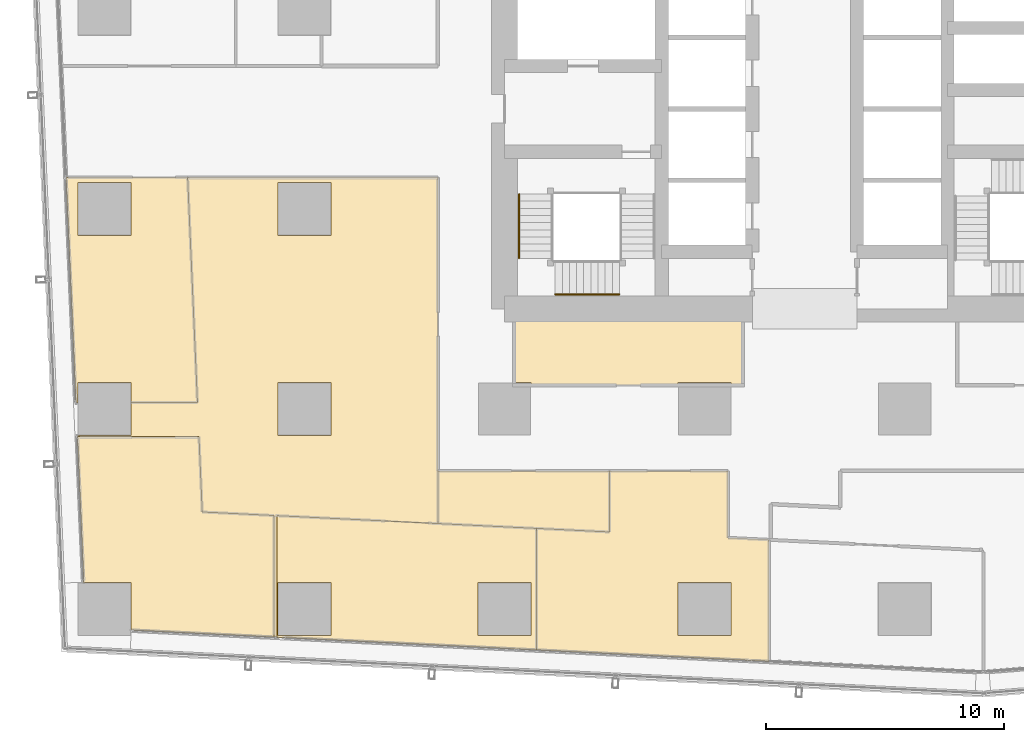
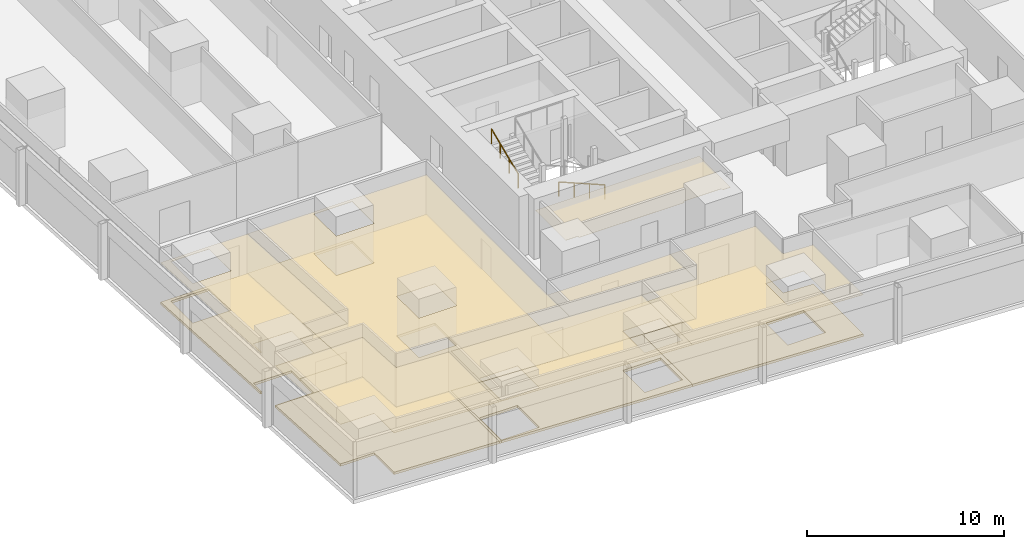
# One storey, part 36 of 44: 13 coverings, 2 railings.
"""IFC4 building model written with IfcOpenShell, lengths in metres."""

from ifc_helpers import new_model, si_unit, direction, frame, origin, origin_2d, place, context, subcontext, project, spatial, polyline, circle, outline, extrude, material, layer, layer_set, type_object, element, save


model = new_model("IFC4")

# Units and contexts
model_context = context("Model", 3, precision=1e-05, world=origin(), true_north=direction((0.0, 1.0)))
body_context = subcontext(model_context, "Body", "Model", "MODEL_VIEW")
ifc_project = project(units=[si_unit("LENGTHUNIT", "METRE"), si_unit("AREAUNIT", "SQUARE_METRE"), si_unit("VOLUMEUNIT", "CUBIC_METRE"), si_unit("PLANEANGLEUNIT", "RADIAN"), si_unit("MASSUNIT", "GRAM", prefix="KILO")], contexts=[model_context])

# Site, building, storey
site_placement = place(None, origin())
site = spatial("IfcSite", under=ifc_project, at=site_placement, CompositionType="ELEMENT")
building_placement = place(site_placement, origin())
building = spatial("IfcBuilding", under=site, at=building_placement, Name="Rekha Terrace Tower", CompositionType="ELEMENT")
storey_placement = place(building_placement, frame((0.0, 0.0, 59.14990234375)))
storey = spatial("IfcBuildingStorey", under=building, at=storey_placement, Name="L14", CompositionType="ELEMENT", Elevation=59.14990234375)

# Coverings
ifc_material_1 = material(Name="Mineral fibre tile in exposed grid", Category="finish")
ifc_layer_1 = layer(ifc_material_1, 0.02001953125)
ifc_layer_set_1 = layer_set([ifc_layer_1], Name="Mineral fibre tile in exposed grid")
covering_type_1 = type_object("IfcCoveringType", Name="CL1 600x1200 office grid ceiling", PredefinedType="CEILING", material=ifc_layer_set_1)
covering_1_placement = place(storey_placement, frame((0.0, 0.0, 2.580078125)))
element("IfcCovering", 1, at=covering_1_placement, inside=storey, type_object=covering_type_1, Name="Ceiling L14-06", PredefinedType="CEILING", context=body_context, shape_type="SweptSolid", body=[
    extrude(outline(polyline([(9.514892578125, 17.080078125), (12.30810546875, 17.080078125), (11.89599609375, 26.511962890625), (6.791015625, 26.511962890625), (7.202880859375, 17.080078125), (7.284912109375, 17.080078125), (7.284912109375, 17.9150390625), (9.514892578125, 17.9150390625), (9.514892578125, 17.080078125)]), holes=[polyline([(9.514892578125, 24.0849609375), (7.284912109375, 24.0849609375), (7.284912109375, 26.31494140625), (9.514892578125, 26.31494140625), (9.514892578125, 24.0849609375)])]), origin(), (0.0, 0.0, 1.0), 0.02001953125),
])
covering_2_placement = place(storey_placement, frame((0.0, 0.0, 2.580078125)))
element("IfcCovering", 2, at=covering_2_placement, inside=storey, type_object=covering_type_1, Name="Ceiling L14-07", PredefinedType="CEILING", context=body_context, shape_type="SweptSolid", body=[
    extrude(outline(polyline([(12.509033203125, 12.47705078125), (12.37109375, 15.64306640625), (7.26611328125, 15.64306640625), (7.533935546875, 9.514892578125), (9.514892578125, 9.514892578125), (9.514892578125, 7.51806640625), (15.52392578125, 7.222900390625), (15.52392578125, 12.3291015625), (12.509033203125, 12.47705078125)])), origin(), (0.0, 0.0, 1.0), 0.02001953125),
])
covering_3_placement = place(storey_placement, frame((0.0, 0.0, 2.580078125)))
element("IfcCovering", 3, at=covering_3_placement, inside=storey, type_object=covering_type_1, Name="Ceiling L14-08", PredefinedType="CEILING", context=body_context, shape_type="SweptSolid", body=[
    extrude(outline(polyline([(26.547119140625, 6.680908203125), (26.547119140625, 11.7880859375), (15.64306640625, 12.322998046875), (15.64306640625, 7.217041015625), (26.547119140625, 6.680908203125)]), holes=[polyline([(26.31494140625, 9.514892578125), (26.31494140625, 7.284912109375), (24.0849609375, 7.284912109375), (24.0849609375, 9.514892578125), (26.31494140625, 9.514892578125)]), polyline([(17.9150390625, 7.284912109375), (15.68505859375, 7.284912109375), (15.68505859375, 9.514892578125), (17.9150390625, 9.514892578125), (17.9150390625, 7.284912109375)])]), origin(), (0.0, 0.0, 1.0), 0.02001953125),
])
covering_4_placement = place(storey_placement, frame((0.0, 0.0, 2.580078125)))
element("IfcCovering", 4, at=covering_4_placement, inside=storey, type_object=covering_type_1, Name="Ceiling L14-09", PredefinedType="CEILING", context=body_context, shape_type="SweptSolid", body=[
    extrude(outline(polyline([(34.583984375, 14.199951171875), (29.60009765625, 14.199951171875), (29.60009765625, 11.637939453125), (26.548095703125, 11.7880859375), (26.548095703125, 6.680908203125), (36.298095703125, 6.202880859375), (36.298095703125, 11.30908203125), (34.583984375, 11.39306640625), (34.583984375, 14.199951171875)]), holes=[polyline([(34.715087890625, 7.284912109375), (32.485107421875, 7.284912109375), (32.485107421875, 9.514892578125), (34.715087890625, 9.514892578125), (34.715087890625, 7.284912109375)])]), origin(), (0.0, 0.0, 1.0), 0.02001953125),
])
covering_5_placement = place(storey_placement, frame((0.0, 0.0, 2.580078125)))
element("IfcCovering", 5, at=covering_5_placement, inside=storey, type_object=covering_type_1, Name="Ceiling L14-10", PredefinedType="CEILING", context=body_context, shape_type="SweptSolid", body=[
    extrude(outline(polyline([(29.60009765625, 14.199951171875), (22.39990234375, 14.199951171875), (22.39990234375, 11.990966796875), (26.2548828125, 11.802001953125), (29.60009765625, 11.637939453125), (29.60009765625, 14.199951171875)])), origin(), (0.0, 0.0, 1.0), 0.02001953125),
])
covering_6_placement = place(storey_placement, frame((0.0, 0.0, 2.580078125)))
element("IfcCovering", 6, at=covering_6_placement, inside=storey, type_object=covering_type_1, Name="Ceiling L14-O1b", PredefinedType="CEILING", context=body_context, shape_type="SweptSolid", body=[
    extrude(outline(polyline([(9.514892578125, 15.68505859375), (7.263916015625, 15.68505859375), (7.26611328125, 15.64306640625), (12.37109375, 15.64306640625), (12.509033203125, 12.47705078125), (15.52392578125, 12.3291015625), (15.52392578125, 7.222900390625), (15.64306640625, 7.217041015625), (15.64306640625, 12.322998046875), (22.39990234375, 11.990966796875), (22.39990234375, 26.511962890625), (11.89599609375, 26.511962890625), (12.30810546875, 17.080078125), (9.514892578125, 17.080078125), (9.514892578125, 15.68505859375)]), holes=[polyline([(17.9150390625, 15.68505859375), (15.68505859375, 15.68505859375), (15.68505859375, 17.9150390625), (17.9150390625, 17.9150390625), (17.9150390625, 15.68505859375)]), polyline([(17.9150390625, 24.0849609375), (15.68505859375, 24.0849609375), (15.68505859375, 26.31494140625), (17.9150390625, 26.31494140625), (17.9150390625, 24.0849609375)])]), origin(), (0.0, 0.0, 1.0), 0.02001953125),
])
ifc_material_2 = material(Name="Fibre cement board", Category="finish")
ifc_layer_2 = layer(ifc_material_2, 0.014892578125)
ifc_layer_set_2 = layer_set([ifc_layer_2], Name="Fibre cement board")
covering_type_2 = type_object("IfcCoveringType", Name="CL2 moisture-resistant board ceiling", PredefinedType="CEILING", material=ifc_layer_set_2)
covering_7_placement = place(storey_placement, frame((0.0, 0.0, 2.585205078125)))
element("IfcCovering", 7, at=covering_7_placement, inside=storey, type_object=covering_type_2, Name="Ceiling L14-WCM", PredefinedType="CEILING", context=body_context, shape_type="SweptSolid", body=[
    extrude(outline(polyline([(35.199951171875, 21.0), (25.60009765625, 21.0), (25.60009765625, 17.9150390625), (26.31494140625, 17.9150390625), (26.31494140625, 17.800048828125), (32.485107421875, 17.800048828125), (32.485107421875, 17.9150390625), (34.715087890625, 17.9150390625), (34.715087890625, 17.800048828125), (35.199951171875, 17.800048828125), (35.199951171875, 21.0)])), origin(), (0.0, 0.0, 1.0), 0.014892578125),
])

# Railings
ifc_material_3 = material(Name="Stainless steel tube", Category="steel")
railing_type = type_object("IfcRailingType", Name="HR1 900 stair handrail", PredefinedType="HANDRAIL", material=ifc_material_3)
railing_1_placement = place(storey_placement, frame((30.02490234375, 21.610107421875, 1.375)))
element("IfcRailing", 8, at=railing_1_placement, inside=storey, type_object=railing_type, Name="Handrail ST1 L14 flight 2", PredefinedType="HANDRAIL", context=body_context, shape_type="SweptSolid", body=[
    extrude(circle(Radius=0.02392578125, at=origin_2d()), frame((0.0, 0.0, 0.8759765625), z_axis=(-0.923074453586, 0.0, 0.384621311341), x_axis=(0.0, -1.0, 0.0)), (0.0, 0.0, 1.0), 2.925048828125),
    extrude(circle(Radius=0.02099609375, at=origin_2d()), origin(), (0.0, 0.0, 1.0), 0.851806640625),
    extrude(circle(Radius=0.02099609375, at=origin_2d()), frame((-0.89990234375, 0.0, 0.375)), (0.0, 0.0, 1.0), 0.851806640625),
    extrude(circle(Radius=0.02099609375, at=origin_2d()), frame((-1.800048828125, 0.0, 0.75)), (0.0, 0.0, 1.0), 0.851806640625),
    extrude(circle(Radius=0.02099609375, at=origin_2d()), frame((-2.699951171875, 0.0, 1.125)), (0.0, 0.0, 1.0), 0.851806640625),
])
railing_2_placement = place(storey_placement, frame((25.81005859375, 23.125, 2.625)))
element("IfcRailing", 9, at=railing_2_placement, inside=storey, type_object=railing_type, Name="Handrail ST1 L14 flight 3", PredefinedType="HANDRAIL", context=body_context, shape_type="SweptSolid", body=[
    extrude(circle(Radius=0.02392578125, at=origin_2d()), frame((0.0, 0.0, 0.8759765625), z_axis=(0.0, 0.923074453586, 0.384621311341), x_axis=(-1.0, 0.0, 0.0)), (0.0, 0.0, 1.0), 2.925048828125),
    extrude(circle(Radius=0.02099609375, at=origin_2d()), origin(), (0.0, 0.0, 1.0), 0.851806640625),
    extrude(circle(Radius=0.02099609375, at=origin_2d()), frame((0.0, 0.89990234375, 0.375)), (0.0, 0.0, 1.0), 0.851806640625),
    extrude(circle(Radius=0.02099609375, at=origin_2d()), frame((0.0, 1.800048828125, 0.75)), (0.0, 0.0, 1.0), 0.851806640625),
    extrude(circle(Radius=0.02099609375, at=origin_2d()), frame((0.0, 2.699951171875, 1.125)), (0.0, 0.0, 1.0), 0.851806640625),
])

# Coverings
ifc_material_4 = material(Name="Calcium sulphate panels on steel pedestals", Category="steel")
ifc_layer_3 = layer(ifc_material_4, 0.14990234375)
ifc_layer_set_3 = layer_set([ifc_layer_3], Name="Calcium sulphate panels on steel pedestals")
covering_type_3 = type_object("IfcCoveringType", Name="RF1 150 raised access floor", PredefinedType="FLOORING", material=ifc_layer_set_3)
covering_8_placement = place(storey_placement, origin())
element("IfcCovering", 10, at=covering_8_placement, inside=storey, type_object=covering_type_3, Name="Raised floor L14-06", PredefinedType="FLOORING", context=body_context, shape_type="SweptSolid", body=[
    extrude(outline(polyline([(9.514892578125, 17.080078125), (12.30810546875, 17.080078125), (11.89599609375, 26.511962890625), (6.791015625, 26.511962890625), (7.202880859375, 17.080078125), (7.284912109375, 17.080078125), (7.284912109375, 17.9150390625), (9.514892578125, 17.9150390625), (9.514892578125, 17.080078125)]), holes=[polyline([(9.514892578125, 24.0849609375), (7.284912109375, 24.0849609375), (7.284912109375, 26.31494140625), (9.514892578125, 26.31494140625), (9.514892578125, 24.0849609375)])]), origin(), (0.0, 0.0, 1.0), 0.150146484375),
])
covering_9_placement = place(storey_placement, origin())
element("IfcCovering", 11, at=covering_9_placement, inside=storey, type_object=covering_type_3, Name="Raised floor L14-07", PredefinedType="FLOORING", context=body_context, shape_type="SweptSolid", body=[
    extrude(outline(polyline([(12.509033203125, 12.47705078125), (12.37109375, 15.64306640625), (7.26611328125, 15.64306640625), (7.533935546875, 9.514892578125), (9.514892578125, 9.514892578125), (9.514892578125, 7.51806640625), (15.52392578125, 7.222900390625), (15.52392578125, 12.3291015625), (12.509033203125, 12.47705078125)])), origin(), (0.0, 0.0, 1.0), 0.150146484375),
])
covering_10_placement = place(storey_placement, origin())
element("IfcCovering", 12, at=covering_10_placement, inside=storey, type_object=covering_type_3, Name="Raised floor L14-08", PredefinedType="FLOORING", context=body_context, shape_type="SweptSolid", body=[
    extrude(outline(polyline([(26.547119140625, 6.680908203125), (26.547119140625, 11.7880859375), (15.64306640625, 12.322998046875), (15.64306640625, 7.217041015625), (26.547119140625, 6.680908203125)]), holes=[polyline([(26.31494140625, 9.514892578125), (26.31494140625, 7.284912109375), (24.0849609375, 7.284912109375), (24.0849609375, 9.514892578125), (26.31494140625, 9.514892578125)]), polyline([(17.9150390625, 7.284912109375), (15.68505859375, 7.284912109375), (15.68505859375, 9.514892578125), (17.9150390625, 9.514892578125), (17.9150390625, 7.284912109375)])]), origin(), (0.0, 0.0, 1.0), 0.150146484375),
])
covering_11_placement = place(storey_placement, origin())
element("IfcCovering", 13, at=covering_11_placement, inside=storey, type_object=covering_type_3, Name="Raised floor L14-09", PredefinedType="FLOORING", context=body_context, shape_type="SweptSolid", body=[
    extrude(outline(polyline([(34.583984375, 14.199951171875), (29.60009765625, 14.199951171875), (29.60009765625, 11.637939453125), (26.548095703125, 11.7880859375), (26.548095703125, 6.680908203125), (36.298095703125, 6.202880859375), (36.298095703125, 11.30908203125), (34.583984375, 11.39306640625), (34.583984375, 14.199951171875)]), holes=[polyline([(34.715087890625, 7.284912109375), (32.485107421875, 7.284912109375), (32.485107421875, 9.514892578125), (34.715087890625, 9.514892578125), (34.715087890625, 7.284912109375)])]), origin(), (0.0, 0.0, 1.0), 0.150146484375),
])
covering_12_placement = place(storey_placement, origin())
element("IfcCovering", 14, at=covering_12_placement, inside=storey, type_object=covering_type_3, Name="Raised floor L14-10", PredefinedType="FLOORING", context=body_context, shape_type="SweptSolid", body=[
    extrude(outline(polyline([(29.60009765625, 14.199951171875), (22.39990234375, 14.199951171875), (22.39990234375, 11.990966796875), (26.2548828125, 11.802001953125), (29.60009765625, 11.637939453125), (29.60009765625, 14.199951171875)])), origin(), (0.0, 0.0, 1.0), 0.150146484375),
])
covering_13_placement = place(storey_placement, origin())
element("IfcCovering", 15, at=covering_13_placement, inside=storey, type_object=covering_type_3, Name="Raised floor L14-O1b", PredefinedType="FLOORING", context=body_context, shape_type="SweptSolid", body=[
    extrude(outline(polyline([(9.514892578125, 15.68505859375), (7.263916015625, 15.68505859375), (7.26611328125, 15.64306640625), (12.37109375, 15.64306640625), (12.509033203125, 12.47705078125), (15.52392578125, 12.3291015625), (15.52392578125, 7.222900390625), (15.64306640625, 7.217041015625), (15.64306640625, 12.322998046875), (22.39990234375, 11.990966796875), (22.39990234375, 26.511962890625), (11.89599609375, 26.511962890625), (12.30810546875, 17.080078125), (9.514892578125, 17.080078125), (9.514892578125, 15.68505859375)]), holes=[polyline([(17.9150390625, 15.68505859375), (15.68505859375, 15.68505859375), (15.68505859375, 17.9150390625), (17.9150390625, 17.9150390625), (17.9150390625, 15.68505859375)]), polyline([(17.9150390625, 24.0849609375), (15.68505859375, 24.0849609375), (15.68505859375, 26.31494140625), (17.9150390625, 26.31494140625), (17.9150390625, 24.0849609375)])]), origin(), (0.0, 0.0, 1.0), 0.150146484375),
])

save(model, "model.ifc")
